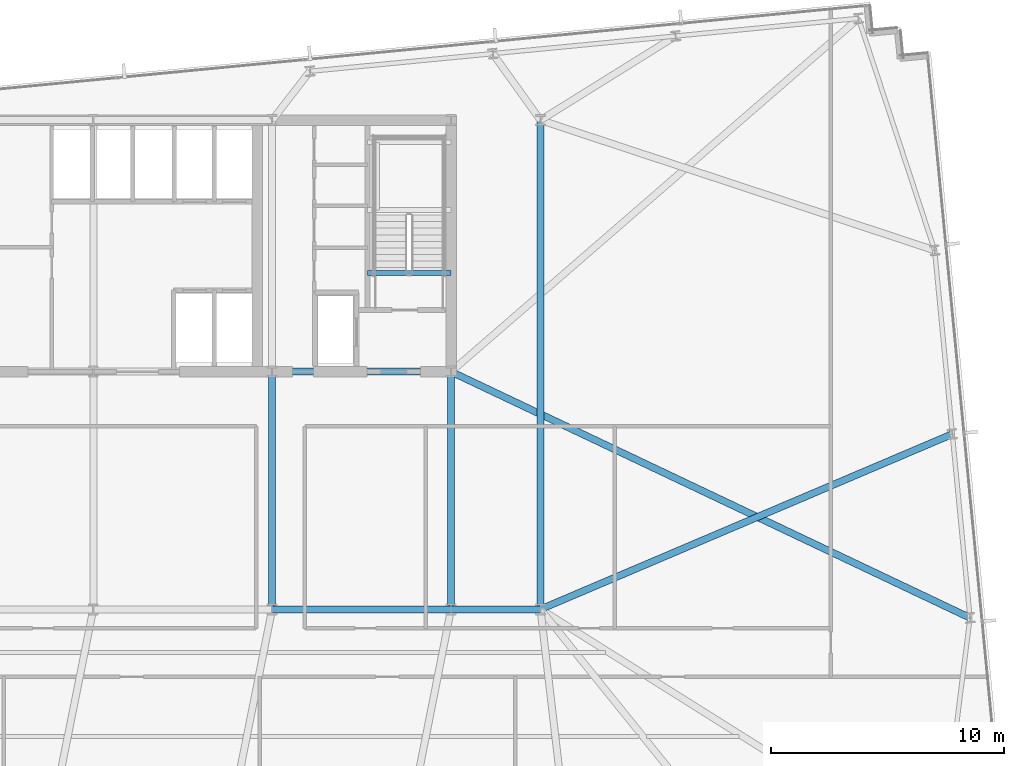
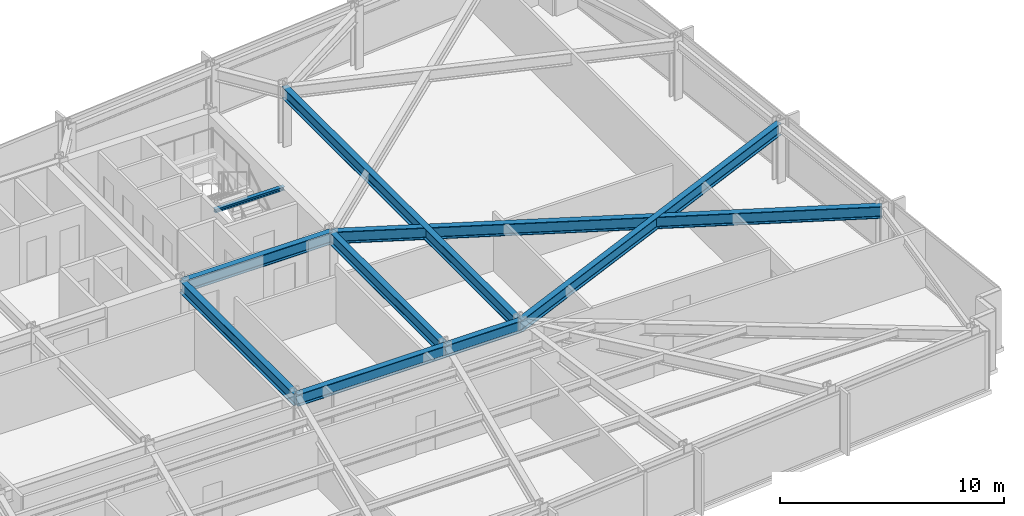
# One storey, part 15 of 32: 9 beams.
"""IFC4 building model written with IfcOpenShell, lengths in metres."""

from ifc_helpers import new_model, si_unit, direction, frame, origin, origin_2d, place, context, subcontext, project, spatial, i_section, extrude, material, material_profile, profile_set, type_object, element, save


model = new_model("IFC4")

# Units and contexts
model_context = context("Model", 3, precision=1e-05, world=origin(), true_north=direction((0.0, 1.0)))
body_context = subcontext(model_context, "Body", "Model", "MODEL_VIEW")
ifc_project = project(units=[si_unit("LENGTHUNIT", "METRE"), si_unit("AREAUNIT", "SQUARE_METRE"), si_unit("VOLUMEUNIT", "CUBIC_METRE"), si_unit("PLANEANGLEUNIT", "RADIAN"), si_unit("MASSUNIT", "GRAM", prefix="KILO")], contexts=[model_context])

# Site, building, storey
site_placement = place(None, origin())
site = spatial("IfcSite", under=ifc_project, at=site_placement, CompositionType="ELEMENT")
building_placement = place(site_placement, origin())
building = spatial("IfcBuilding", under=site, at=building_placement, Name="Yelkora Congress Tower", CompositionType="ELEMENT")
storey_placement = place(building_placement, frame((0.0, 0.0, 103.300048828125)))
storey = spatial("IfcBuildingStorey", under=building, at=storey_placement, Name="L27", CompositionType="ELEMENT", Elevation=103.300048828125)

# Beams
ifc_material = material(Name="Steel S355J2", Category="steel")
ifc_material_profile_1 = material_profile(ifc_material, i_section(OverallWidth=0.300048828125, OverallDepth=0.64990234375, WebThickness=0.01611328125, FlangeThickness=0.031005859375, FilletRadius=0.027099609375, at=origin_2d()), Name="HEB 650")
ifc_profile_set_1 = profile_set([ifc_material_profile_1], Name="Steel S355J2")
beam_type_1 = type_object("IfcBeamType", Name="BM-GIRD-HEB650", PredefinedType="BEAM", material=ifc_profile_set_1)
beam_1_placement = place(storey_placement, frame((46.080078125, 25.199951171875, 2.85498046875), z_axis=(1.0, 0.0, 0.0), x_axis=(0.0, 1.0, 0.0)))
element("IfcBeam", 1, at=beam_1_placement, inside=storey, type_object=beam_type_1, Name="L27 Spine Grid D Girder 5", PredefinedType="BEAM", context=body_context, shape_type="SweptSolid", body=[
    extrude(i_section(OverallWidth=0.300048828125, OverallDepth=0.64990234375, WebThickness=0.01611328125, FlangeThickness=0.031005859375, FilletRadius=0.027099609375, at=origin_2d()), origin(), (0.0, 0.0, 1.0), 7.679931640625),
])
beam_2_placement = place(storey_placement, frame((53.760009765625, 25.199951171875, 2.85498046875), z_axis=(1.0, 0.0, 0.0), x_axis=(0.0, 1.0, 0.0)))
element("IfcBeam", 2, at=beam_2_placement, inside=storey, type_object=beam_type_1, Name="L27 Spine Grid D Girder 6", PredefinedType="BEAM", context=body_context, shape_type="SweptSolid", body=[
    extrude(i_section(OverallWidth=0.300048828125, OverallDepth=0.64990234375, WebThickness=0.01611328125, FlangeThickness=0.031005859375, FilletRadius=0.027099609375, at=origin_2d()), origin(), (0.0, 0.0, 1.0), 3.840087890625),
])
beam_3_placement = place(storey_placement, frame((46.080078125, 35.39990234375, 2.85498046875), z_axis=(1.0, 0.0, 0.0), x_axis=(0.0, 1.0, 0.0)))
element("IfcBeam", 3, at=beam_3_placement, inside=storey, type_object=beam_type_1, Name="L27 Core South Girder 4", PredefinedType="BEAM", context=body_context, shape_type="SweptSolid", body=[
    extrude(i_section(OverallWidth=0.300048828125, OverallDepth=0.64990234375, WebThickness=0.01611328125, FlangeThickness=0.031005859375, FilletRadius=0.027099609375, at=origin_2d()), origin(), (0.0, 0.0, 1.0), 7.679931640625),
])
for number, where, z_axis, x_axis, name in (
    (4, (46.080078125, 25.199951171875, 2.85498046875), (0.0, 1.0, 0.0), (-1.0, 0.0, 0.0), "L27 Core Tie Girder MC-D4"),
    (5, (53.760009765625, 25.199951171875, 2.85498046875), (0.0, 1.0, 0.0), (-1.0, 0.0, 0.0), "L27 Core Tie Girder MC-D5"),
):
    element("IfcBeam", number, at=place(storey_placement, frame(where, z_axis=z_axis, x_axis=x_axis)), inside=storey, type_object=beam_type_1, Name=name, PredefinedType="BEAM", context=body_context, shape_type="SweptSolid", body=[
        extrude(i_section(OverallWidth=0.300048828125, OverallDepth=0.64990234375, WebThickness=0.01611328125, FlangeThickness=0.031005859375, FilletRadius=0.027099609375, at=origin_2d()), origin(), (0.0, 0.0, 1.0), 10.199951171875),
    ])
beam_4_placement = place(storey_placement, frame((57.60009765625, 25.199951171875, 2.85498046875), z_axis=(0.0, 1.0, 0.0), x_axis=(-1.0, 0.0, 0.0)))
element("IfcBeam", 6, at=beam_4_placement, inside=storey, type_object=beam_type_1, Name="L27 Neck Flank Girder MC-F2", PredefinedType="BEAM", context=body_context, shape_type="SweptSolid", body=[
    extrude(i_section(OverallWidth=0.300048828125, OverallDepth=0.64990234375, WebThickness=0.01611328125, FlangeThickness=0.031005859375, FilletRadius=0.027099609375, at=origin_2d()), origin(), (0.0, 0.0, 1.0), 21.0),
])
beam_5_placement = place(storey_placement, frame((76.041259765625, 24.83349609375, 2.85498046875), z_axis=(-0.903547447445, 0.428488051427, 0.0), x_axis=(-0.428488051427, -0.903547447445, 0.0)))
element("IfcBeam", 7, at=beam_5_placement, inside=storey, type_object=beam_type_1, Name="L27 Primary Frame Girder E01", PredefinedType="BEAM", context=body_context, shape_type="SweptSolid", body=[
    extrude(i_section(OverallWidth=0.300048828125, OverallDepth=0.64990234375, WebThickness=0.01611328125, FlangeThickness=0.031005859375, FilletRadius=0.027099609375, at=origin_2d()), origin(), (0.0, 0.0, 1.0), 24.65966796875),
])
beam_6_placement = place(storey_placement, frame((75.28173828125, 32.721923828125, 2.85498046875), z_axis=(-0.920194564302, -0.391461318432, 0.0), x_axis=(0.391461318432, -0.920194564302, 0.0)))
element("IfcBeam", 8, at=beam_6_placement, inside=storey, type_object=beam_type_1, Name="L27 Primary Frame Girder E02", PredefinedType="BEAM", context=body_context, shape_type="SweptSolid", body=[
    extrude(i_section(OverallWidth=0.300048828125, OverallDepth=0.64990234375, WebThickness=0.01611328125, FlangeThickness=0.031005859375, FilletRadius=0.027099609375, at=origin_2d()), origin(), (0.0, 0.0, 1.0), 19.215087890625),
])
ifc_material_profile_2 = material_profile(ifc_material, i_section(OverallWidth=0.199951171875, OverallDepth=0.18994140625, WebThickness=0.006591796875, FlangeThickness=0.010009765625, FilletRadius=0.01806640625, at=origin_2d()), Name="HEA 200")
ifc_profile_set_2 = profile_set([ifc_material_profile_2], Name="Steel S355J2")
beam_type_2 = type_object("IfcBeamType", Name="BM-LAND-HEA200", PredefinedType="BEAM", material=ifc_profile_set_2)
beam_7_placement = place(storey_placement, frame((50.179931640625, 39.639892578125, 2.947265625), z_axis=(1.0, 0.0, 0.0), x_axis=(0.0, 1.0, 0.0)))
element("IfcBeam", 9, at=beam_7_placement, inside=storey, type_object=beam_type_2, Name="ST-02 L27 Floor Arrival Stringer Header Beam", PredefinedType="BEAM", context=body_context, shape_type="SweptSolid", body=[
    extrude(i_section(OverallWidth=0.199951171875, OverallDepth=0.18994140625, WebThickness=0.006591796875, FlangeThickness=0.010009765625, FilletRadius=0.01806640625, at=origin_2d()), origin(), (0.0, 0.0, 1.0), 3.580078125),
])

save(model, "model.ifc")
